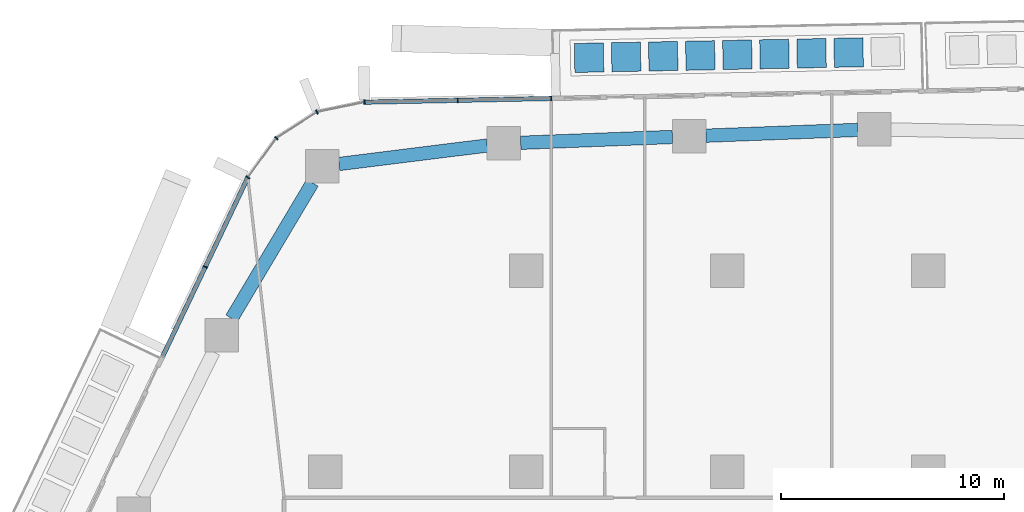
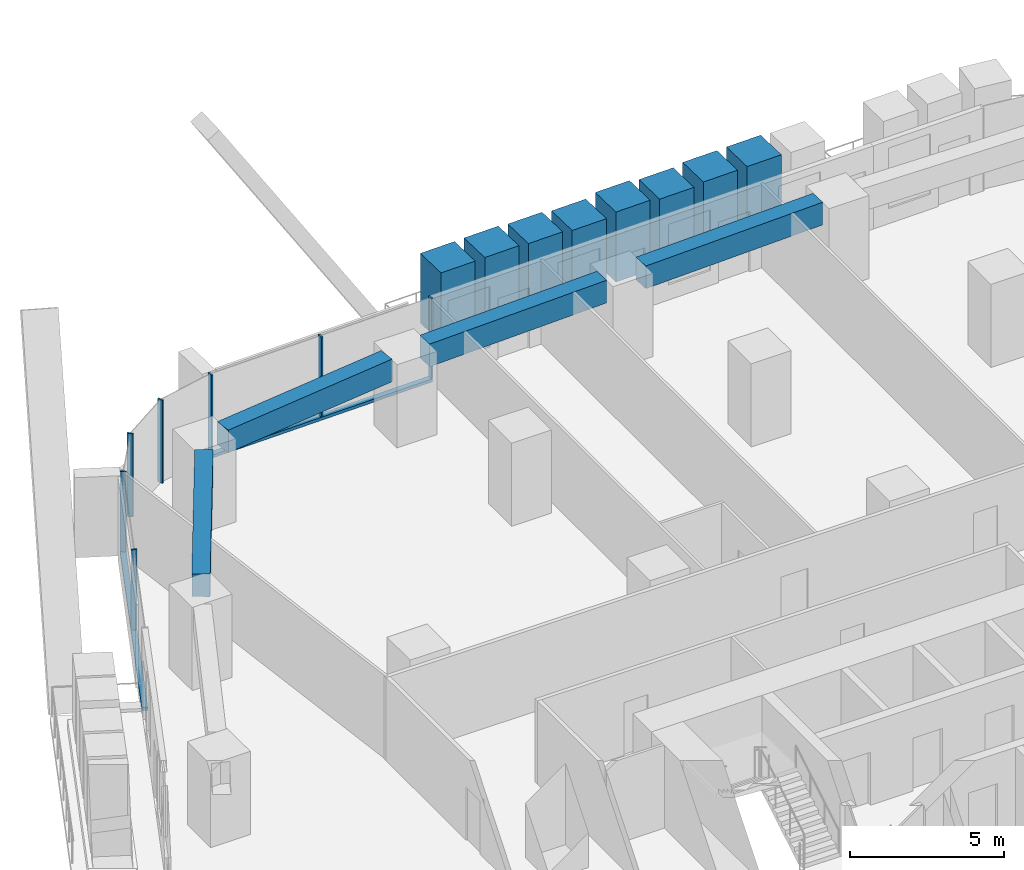
# One storey, part 8 of 24: 17 members, 4 beams, 3 elements without a shape of their own.
"""IFC4 building model written with IfcOpenShell, lengths in metres."""

from ifc_helpers import new_model, si_unit, direction, frame, origin, origin_2d, place, context, subcontext, project, spatial, rectangle, extrude, material, layer, layer_set, material_profile, profile_set, type_object, element, aggregate, save


model = new_model("IFC4")

# Units and contexts
model_context = context("Model", 3, precision=1e-05, world=origin(), true_north=direction((0.0, 1.0)))
body_context = subcontext(model_context, "Body", "Model", "MODEL_VIEW")
ifc_project = project(units=[si_unit("LENGTHUNIT", "METRE"), si_unit("AREAUNIT", "SQUARE_METRE"), si_unit("VOLUMEUNIT", "CUBIC_METRE"), si_unit("PLANEANGLEUNIT", "RADIAN"), si_unit("MASSUNIT", "GRAM", prefix="KILO")], contexts=[model_context])

# Site, building, storey
site_placement = place(None, origin())
site = spatial("IfcSite", under=ifc_project, at=site_placement, CompositionType="ELEMENT")
building_placement = place(site_placement, origin())
building = spatial("IfcBuilding", under=site, at=building_placement, Name="Dongbaek Canopy Tower", CompositionType="ELEMENT")
storey_placement = place(building_placement, frame((0.0, 0.0, 51.39990234375)))
storey = spatial("IfcBuildingStorey", under=building, at=storey_placement, Name="L08", CompositionType="ELEMENT", Elevation=51.39990234375)

# Curtain wall, members
ifc_material_1 = material(Name="Aluminium 6063-T6 pale anodised", Category="aluminium")
ifc_layer = layer(ifc_material_1, 0.199951171875)
ifc_layer_set = layer_set([ifc_layer], Name="CW-1 unitised tower curtain wall")
curtain_wall_type = type_object("IfcCurtainWallType", Name="CW-1 unitised tower curtain wall", PredefinedType="NOTDEFINED", material=ifc_layer_set)
curtain_wall_1_placement = place(storey_placement, origin())
curtain_wall_1 = element("IfcCurtainWall", 1, at=curtain_wall_1_placement, inside=storey, type_object=curtain_wall_type, Name="CW-1 curtain wall F1.1", PredefinedType="NOTDEFINED")
ifc_material_2 = material(Name="Aluminium 6063-T6 pale anodised", Category="aluminium")
ifc_material_profile_1 = material_profile(ifc_material_2, rectangle(XDim=0.199951171875, YDim=0.06005859375, at=origin_2d()), Name="CW-1 mullion 60 x 200")
ifc_profile_set_1 = profile_set([ifc_material_profile_1], Name="Aluminium 6063-T6 pale anodised")
member_type_1 = type_object("IfcMemberType", Name="CW-1 mullion 60 x 200", PredefinedType="MULLION", material=ifc_profile_set_1)
member_1_placement = place(storey_placement, frame((-7.8876953125, 34.72900390625, 0.1201171875), z_axis=(0.0, 0.0, 1.0), x_axis=(-0.019925757664, 0.999801462382, 0.0)))
member_1 = element("IfcMember", 2, at=member_1_placement, type_object=member_type_1, Name="CW-1 mullion F1.1.1", PredefinedType="MULLION", context=body_context, shape_type="SweptSolid", body=[
    extrude(rectangle(XDim=0.199951171875, YDim=0.06005859375, at=origin_2d()), origin(), (0.0, 0.0, 1.0), 3.179931640625),
])
member_2_placement = place(storey_placement, frame((-12.074951171875, 34.6455078125, 0.1201171875), z_axis=(0.0, 0.0, 1.0), x_axis=(-0.019925757664, 0.999801462382, 0.0)))
member_2 = element("IfcMember", 3, at=member_2_placement, type_object=member_type_1, Name="CW-1 mullion F1.1.2", PredefinedType="MULLION", context=body_context, shape_type="SweptSolid", body=[
    extrude(rectangle(XDim=0.199951171875, YDim=0.06005859375, at=origin_2d()), origin(), (0.0, 0.0, 1.0), 3.179931640625),
])
member_3_placement = place(storey_placement, frame((-16.2529296875, 34.562255859375, 0.1201171875), z_axis=(0.0, 0.0, 1.0), x_axis=(-0.019925757664, 0.999801462382, 0.0)))
member_3 = element("IfcMember", 4, at=member_3_placement, type_object=member_type_1, Name="CW-1 mullion F1.1.3", PredefinedType="MULLION", context=body_context, shape_type="SweptSolid", body=[
    extrude(rectangle(XDim=0.199951171875, YDim=0.06005859375, at=origin_2d()), origin(), (0.0, 0.0, 1.0), 3.179931640625),
])

curtain_wall_2_placement = place(storey_placement, origin())
curtain_wall_2 = element("IfcCurtainWall", 5, at=curtain_wall_2_placement, inside=storey, type_object=curtain_wall_type, Name="CW-1 curtain wall K2.1", PredefinedType="NOTDEFINED")
member_4_placement = place(storey_placement, frame((-18.380615234375, 34.121337890625, 0.0), z_axis=(0.0, 0.0, 1.0), x_axis=(-0.379075212313, 0.925365864623, 0.0)))
member_4 = element("IfcMember", 6, at=member_4_placement, type_object=member_type_1, Name="CW-1 mullion K2.1.2", PredefinedType="MULLION", context=body_context, shape_type="SweptSolid", body=[
    extrude(rectangle(XDim=0.199951171875, YDim=0.06005859375, at=origin_2d()), origin(), (0.0, 0.0, 1.0), 3.300048828125),
])
member_5_placement = place(storey_placement, frame((-20.1982421875, 32.947998046875, 0.0), z_axis=(0.0, 0.0, 1.0), x_axis=(-0.687228061912, 0.72644173264, 0.0)))
member_5 = element("IfcMember", 7, at=member_5_placement, type_object=member_type_1, Name="CW-1 mullion K2.1.3", PredefinedType="MULLION", context=body_context, shape_type="SweptSolid", body=[
    extrude(rectangle(XDim=0.199951171875, YDim=0.06005859375, at=origin_2d()), origin(), (0.0, 0.0, 1.0), 3.300048828125),
])
member_6_placement = place(storey_placement, frame((-21.47607421875, 31.190673828125, 0.0), z_axis=(0.0, 0.0, 1.0), x_axis=(-0.808795565583, 0.58808990222, 0.0)))
member_6 = element("IfcMember", 8, at=member_6_placement, type_object=member_type_1, Name="CW-1 mullion K2.1.4", PredefinedType="MULLION", context=body_context, shape_type="SweptSolid", body=[
    extrude(rectangle(XDim=0.199951171875, YDim=0.06005859375, at=origin_2d()), origin(), (0.0, 0.0, 1.0), 3.300048828125),
])
aggregate(curtain_wall_2, [member_4, member_5, member_6])

# Curtain wall, member
curtain_wall_3_placement = place(storey_placement, origin())
curtain_wall_3 = element("IfcCurtainWall", 9, at=curtain_wall_3_placement, inside=storey, type_object=curtain_wall_type, Name="CW-1 curtain wall F2.1", PredefinedType="NOTDEFINED")
member_7_placement = place(storey_placement, frame((-23.38330078125, 27.18359375, 0.1201171875), z_axis=(0.0, 0.0, 1.0), x_axis=(-0.902928815129, 0.429790128796, 0.0)))
member_7 = element("IfcMember", 10, at=member_7_placement, type_object=member_type_1, Name="CW-1 mullion F2.1.2", PredefinedType="MULLION", context=body_context, shape_type="SweptSolid", body=[
    extrude(rectangle(XDim=0.199951171875, YDim=0.06005859375, at=origin_2d()), origin(), (0.0, 0.0, 1.0), 3.179931640625),
])

# Member
ifc_material_3 = material(Name="Aluminium 6063-T6 pale anodised", Category="aluminium")
ifc_material_profile_2 = material_profile(ifc_material_3, rectangle(XDim=0.199951171875, YDim=0.1201171875, at=origin_2d()), Name="CW-1 transom 120 x 200")
ifc_profile_set_2 = profile_set([ifc_material_profile_2], Name="Aluminium 6063-T6 pale anodised")
member_type_2 = type_object("IfcMemberType", Name="CW-1 transom 120 x 200", PredefinedType="USERDEFINED", material=ifc_profile_set_2)
member_8_placement = place(storey_placement, frame((-7.8876953125, 34.72900390625, 0.06005859375), z_axis=(-0.999801387815, -0.019929498829, 0.0), x_axis=(0.019929498829, -0.999801387815, 0.0)))
member_8 = element("IfcMember", 11, at=member_8_placement, type_object=member_type_2, Name="CW-1 transom F1.1.1", ObjectType="TRANSOM", PredefinedType="USERDEFINED", context=body_context, shape_type="SweptSolid", body=[
    extrude(rectangle(XDim=0.199951171875, YDim=0.1201171875, at=origin_2d()), origin(), (0.0, 0.0, 1.0), 8.366943359375),
])

aggregate(curtain_wall_1, [member_1, member_2, member_3, member_8])

member_9_placement = place(storey_placement, frame((-21.47607421875, 31.190673828125, 0.06005859375), z_axis=(-0.429774651528, -0.902936182077, 0.0), x_axis=(0.902936182077, -0.429774651528, 0.0)))
member_9 = element("IfcMember", 12, at=member_9_placement, type_object=member_type_2, Name="CW-1 transom F2.1.1", ObjectType="TRANSOM", PredefinedType="USERDEFINED", context=body_context, shape_type="SweptSolid", body=[
    extrude(rectangle(XDim=0.199951171875, YDim=0.1201171875, at=origin_2d()), origin(), (0.0, 0.0, 1.0), 8.885009765625),
])

aggregate(curtain_wall_3, [member_7, member_9])

# Beams
ifc_material_4 = material(Name="Concrete C80", Category="concrete")
ifc_material_profile_3 = material_profile(ifc_material_4, rectangle(XDim=0.60009765625, YDim=0.89990234375, at=origin_2d()), Name="RC EDGE BEAM 600x900 C80")
ifc_profile_set_3 = profile_set([ifc_material_profile_3], Name="Concrete C80")
beam_type = type_object("IfcBeamType", Name="RC EDGE BEAM 600x900 C80", PredefinedType="BEAM", material=ifc_profile_set_3)
beam_1_placement = place(storey_placement, frame((-22.201416015625, 24.875, 2.85009765625), z_axis=(0.511536684445, 0.859261438951, 0.0), x_axis=(-0.859261438951, 0.511536684445, 0.0)))
element("IfcBeam", 13, at=beam_1_placement, inside=storey, type_object=beam_type, Name="EDGEBEAM:L08:12", PredefinedType="BEAM", context=body_context, shape_type="SweptSolid", body=[
    extrude(rectangle(XDim=0.60009765625, YDim=0.89990234375, at=origin_2d()), origin(), (0.0, 0.0, 1.0), 7.06884765625),
])
beam_2_placement = place(storey_placement, frame((-17.388916015625, 31.79248046875, 2.85009765625), z_axis=(0.992300337098, 0.123854919137, 0.0), x_axis=(-0.123854919137, 0.992300337098, 0.0)))
element("IfcBeam", 14, at=beam_2_placement, inside=storey, type_object=beam_type, Name="EDGEBEAM:L08:13", PredefinedType="BEAM", context=body_context, shape_type="SweptSolid", body=[
    extrude(rectangle(XDim=0.60009765625, YDim=0.89990234375, at=origin_2d()), origin(), (0.0, 0.0, 1.0), 6.684326171875),
])
beam_3_placement = place(storey_placement, frame((-9.256103515625, 32.74267578125, 2.85009765625), z_axis=(0.999265250645, 0.038326999019, 0.0), x_axis=(-0.038326999019, 0.999265250645, 0.0)))
element("IfcBeam", 15, at=beam_3_placement, inside=storey, type_object=beam_type, Name="EDGEBEAM:L08:14", PredefinedType="BEAM", context=body_context, shape_type="SweptSolid", body=[
    extrude(rectangle(XDim=0.60009765625, YDim=0.89990234375, at=origin_2d()), origin(), (0.0, 0.0, 1.0), 6.802978515625),
])
beam_4_placement = place(storey_placement, frame((-0.9580078125, 33.060791015625, 2.85009765625), z_axis=(0.99927189778, 0.038153300073, 0.0), x_axis=(-0.038153300073, 0.99927189778, 0.0)))
element("IfcBeam", 16, at=beam_4_placement, inside=storey, type_object=beam_type, Name="EDGEBEAM:L08:15", PredefinedType="BEAM", context=body_context, shape_type="SweptSolid", body=[
    extrude(rectangle(XDim=0.60009765625, YDim=0.89990234375, at=origin_2d()), origin(), (0.0, 0.0, 1.0), 6.802001953125),
])

# Members
ifc_material_5 = material(Name="Concrete C40/50 planter mass with planting", Category="concrete")
ifc_material_profile_4 = material_profile(ifc_material_5, rectangle(XDim=1.300048828125, YDim=1.300048828125, at=origin_2d()), Name="Terrace PLANTER shrub mass 1300 x 1300")
ifc_profile_set_4 = profile_set([ifc_material_profile_4], Name="Concrete C40/50 planter mass with planting")
member_type_3 = type_object("IfcMemberType", Name="Terrace PLANTER shrub mass 1300 x 1300", PredefinedType="USERDEFINED", material=ifc_profile_set_4)
member_10_placement = place(storey_placement, frame((5.4345703125, 36.784912109375, 0.420166015625), z_axis=(0.0, 0.0, 1.0), x_axis=(-0.019925757664, 0.999801462382, 0.0)))
element("IfcMember", 17, at=member_10_placement, inside=storey, type_object=member_type_3, Name="Planter shrubs L08 1.2", ObjectType="PLANTER", PredefinedType="USERDEFINED", context=body_context, shape_type="SweptSolid", body=[
    extrude(rectangle(XDim=1.300048828125, YDim=1.300048828125, at=origin_2d()), origin(), (0.0, 0.0, 1.0), 2.780029296875),
])
member_11_placement = place(storey_placement, frame((3.7734375, 36.751708984375, 0.420166015625), z_axis=(0.0, 0.0, 1.0), x_axis=(-0.019925757664, 0.999801462382, 0.0)))
element("IfcMember", 18, at=member_11_placement, inside=storey, type_object=member_type_3, Name="Planter shrubs L08 1.3", ObjectType="PLANTER", PredefinedType="USERDEFINED", context=body_context, shape_type="SweptSolid", body=[
    extrude(rectangle(XDim=1.300048828125, YDim=1.300048828125, at=origin_2d()), origin(), (0.0, 0.0, 1.0), 2.77001953125),
])
member_12_placement = place(storey_placement, frame((2.112548828125, 36.718505859375, 0.420166015625), z_axis=(0.0, 0.0, 1.0), x_axis=(-0.019925757664, 0.999801462382, 0.0)))
element("IfcMember", 19, at=member_12_placement, inside=storey, type_object=member_type_3, Name="Planter shrubs L08 1.4", ObjectType="PLANTER", PredefinedType="USERDEFINED", context=body_context, shape_type="SweptSolid", body=[
    extrude(rectangle(XDim=1.300048828125, YDim=1.300048828125, at=origin_2d()), origin(), (0.0, 0.0, 1.0), 2.68994140625),
])
member_13_placement = place(storey_placement, frame((0.451416015625, 36.685546875, 0.420166015625), z_axis=(0.0, 0.0, 1.0), x_axis=(-0.019925757664, 0.999801462382, 0.0)))
element("IfcMember", 20, at=member_13_placement, inside=storey, type_object=member_type_3, Name="Planter shrubs L08 1.5", ObjectType="PLANTER", PredefinedType="USERDEFINED", context=body_context, shape_type="SweptSolid", body=[
    extrude(rectangle(XDim=1.300048828125, YDim=1.300048828125, at=origin_2d()), origin(), (0.0, 0.0, 1.0), 2.780029296875),
])
member_14_placement = place(storey_placement, frame((-1.209716796875, 36.65234375, 0.420166015625), z_axis=(0.0, 0.0, 1.0), x_axis=(-0.019925757664, 0.999801462382, 0.0)))
element("IfcMember", 21, at=member_14_placement, inside=storey, type_object=member_type_3, Name="Planter shrubs L08 1.6", ObjectType="PLANTER", PredefinedType="USERDEFINED", context=body_context, shape_type="SweptSolid", body=[
    extrude(rectangle(XDim=1.300048828125, YDim=1.300048828125, at=origin_2d()), origin(), (0.0, 0.0, 1.0), 2.64990234375),
])
member_15_placement = place(storey_placement, frame((-2.870849609375, 36.619384765625, 0.420166015625), z_axis=(0.0, 0.0, 1.0), x_axis=(-0.019925757664, 0.999801462382, 0.0)))
element("IfcMember", 22, at=member_15_placement, inside=storey, type_object=member_type_3, Name="Planter shrubs L08 1.7", ObjectType="PLANTER", PredefinedType="USERDEFINED", context=body_context, shape_type="SweptSolid", body=[
    extrude(rectangle(XDim=1.300048828125, YDim=1.300048828125, at=origin_2d()), origin(), (0.0, 0.0, 1.0), 2.72998046875),
])
member_16_placement = place(storey_placement, frame((-4.531982421875, 36.586181640625, 0.420166015625), z_axis=(0.0, 0.0, 1.0), x_axis=(-0.019925757664, 0.999801462382, 0.0)))
element("IfcMember", 23, at=member_16_placement, inside=storey, type_object=member_type_3, Name="Planter shrubs L08 1.8", ObjectType="PLANTER", PredefinedType="USERDEFINED", context=body_context, shape_type="SweptSolid", body=[
    extrude(rectangle(XDim=1.300048828125, YDim=1.300048828125, at=origin_2d()), origin(), (0.0, 0.0, 1.0), 2.780029296875),
])
member_17_placement = place(storey_placement, frame((-6.19287109375, 36.552978515625, 0.420166015625), z_axis=(0.0, 0.0, 1.0), x_axis=(-0.019925757664, 0.999801462382, 0.0)))
element("IfcMember", 24, at=member_17_placement, inside=storey, type_object=member_type_3, Name="Planter shrubs L08 1.9", ObjectType="PLANTER", PredefinedType="USERDEFINED", context=body_context, shape_type="SweptSolid", body=[
    extrude(rectangle(XDim=1.300048828125, YDim=1.300048828125, at=origin_2d()), origin(), (0.0, 0.0, 1.0), 2.77001953125),
])

save(model, "model.ifc")
